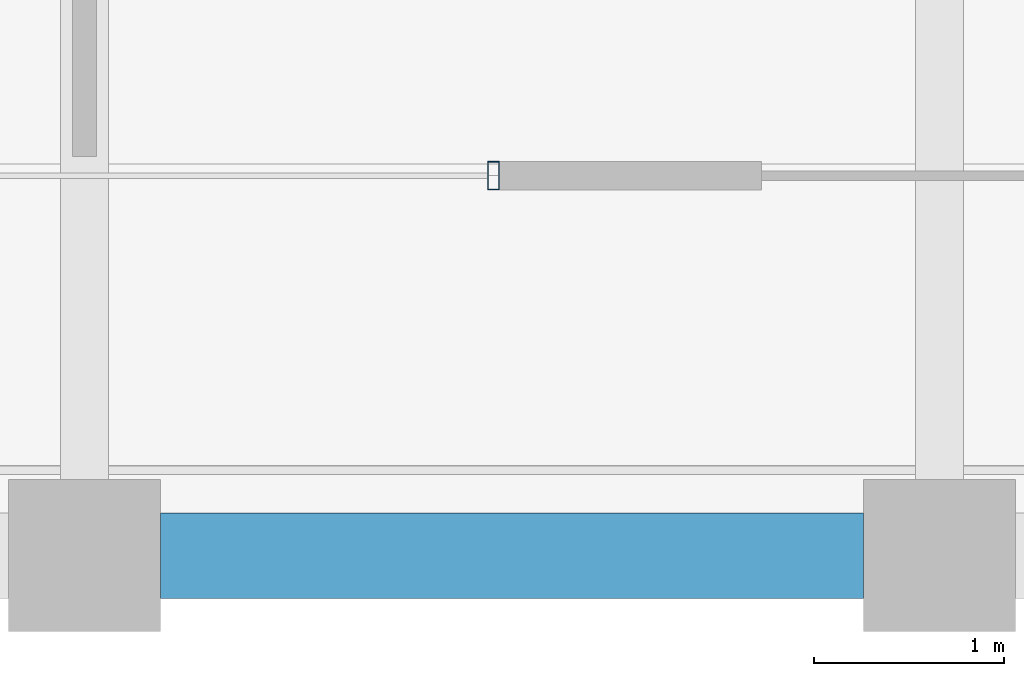
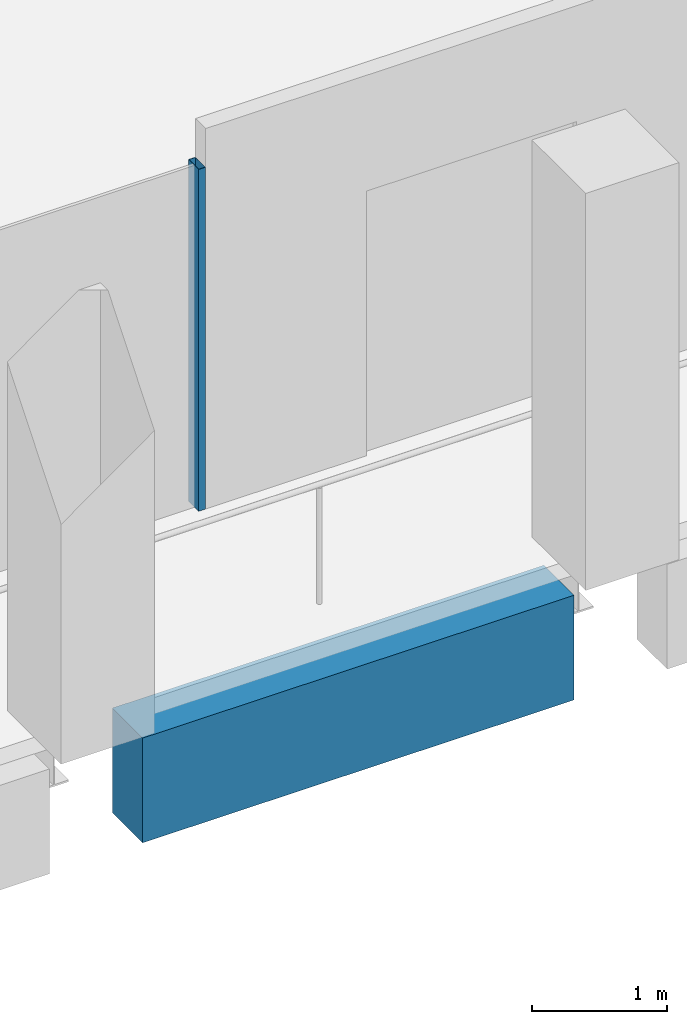
# One storey, part 7 of 30: 1 beam, 1 member, 1 element without a shape of its own.
"""IFC4 building model written with IfcOpenShell, lengths in metres."""

from ifc_helpers import new_model, si_unit, direction, frame, origin, origin_2d, place, context, subcontext, project, spatial, rectangle, hollow_rectangle, extrude, material, material_profile, profile_set, type_object, element, aggregate, save


model = new_model("IFC4")

# Units and contexts
model_context = context("Model", 3, precision=1e-05, world=origin(), true_north=direction((0.0, 1.0)))
body_context = subcontext(model_context, "Body", "Model", "MODEL_VIEW")
ifc_project = project(units=[si_unit("LENGTHUNIT", "METRE"), si_unit("AREAUNIT", "SQUARE_METRE"), si_unit("VOLUMEUNIT", "CUBIC_METRE"), si_unit("PLANEANGLEUNIT", "RADIAN"), si_unit("MASSUNIT", "GRAM", prefix="KILO")], contexts=[model_context])

# Site, building, storey
site_placement = place(None, origin())
site = spatial("IfcSite", under=ifc_project, at=site_placement, CompositionType="ELEMENT")
building_placement = place(site_placement, origin())
building = spatial("IfcBuilding", under=site, at=building_placement, Name="Altepetl Exchange Towers", CompositionType="ELEMENT")
storey_placement = place(building_placement, frame((0.0, 0.0, 235.199951171875)))
storey = spatial("IfcBuildingStorey", under=building, at=storey_placement, Name="L60", CompositionType="ELEMENT", Elevation=235.199951171875)

# Curtain wall, member
ifc_material_1 = material(Name="Aluminium 6063-T6 glazing", Category="aluminium")
curtain_wall_type = type_object("IfcCurtainWallType", Name="Loggia glazing system", PredefinedType="NOTDEFINED", material=ifc_material_1)
curtain_wall_placement = place(storey_placement, origin())
curtain_wall = element("IfcCurtainWall", 1, at=curtain_wall_placement, inside=storey, type_object=curtain_wall_type, Name="CW1 run", PredefinedType="NOTDEFINED")
ifc_material_2 = material(Name="Aluminium 6063-T6", Category="aluminium")
ifc_material_profile_1 = material_profile(ifc_material_2, hollow_rectangle(XDim=0.06005859375, YDim=0.14990234375, WallThickness=0.0029296875, at=origin_2d()), Name="Mullion 60x150 aluminium")
ifc_profile_set_1 = profile_set([ifc_material_profile_1], Name="Aluminium 6063-T6")
member_type = type_object("IfcMemberType", Name="Mullion 60x150 aluminium", PredefinedType="MULLION", material=ifc_profile_set_1)
member_placement = place(storey_placement, frame((47.152099609375, 29.0, 0.0)))
member = element("IfcMember", 2, at=member_placement, type_object=member_type, Name="MU1 mullion", PredefinedType="MULLION", context=body_context, shape_type="SweptSolid", body=[
    extrude(hollow_rectangle(XDim=0.06005859375, YDim=0.14990234375, WallThickness=0.0029296875, at=origin_2d()), origin(), (0.0, 0.0, 1.0), 3.10009765625),
])
aggregate(curtain_wall, [member])

# Beam
ifc_material_3 = material(Name="Concrete C50/60 precast with cantera blanca facing", Category="concrete")
ifc_material_profile_2 = material_profile(ifc_material_3, rectangle(XDim=0.449951171875, YDim=0.949951171875, at=origin_2d()), Name="450 x 950")
ifc_profile_set_2 = profile_set([ifc_material_profile_2], Name="Concrete C50/60 precast with cantera blanca facing")
beam_type = type_object("IfcBeamType", Name="Spandrel beam 450x950 cantera blanca", PredefinedType="SPANDREL", material=ifc_profile_set_2)
beam_placement = place(storey_placement, frame((45.39990234375, 27.0, -0.625), z_axis=(1.0, 0.0, 0.0), x_axis=(0.0, 1.0, 0.0)))
element("IfcBeam", 3, at=beam_placement, inside=storey, type_object=beam_type, Name="sp:A:L60:003", PredefinedType="SPANDREL", context=body_context, shape_type="SweptSolid", body=[
    extrude(rectangle(XDim=0.449951171875, YDim=0.949951171875, at=origin_2d()), origin(), (0.0, 0.0, 1.0), 3.7001953125),
])

save(model, "model.ifc")
